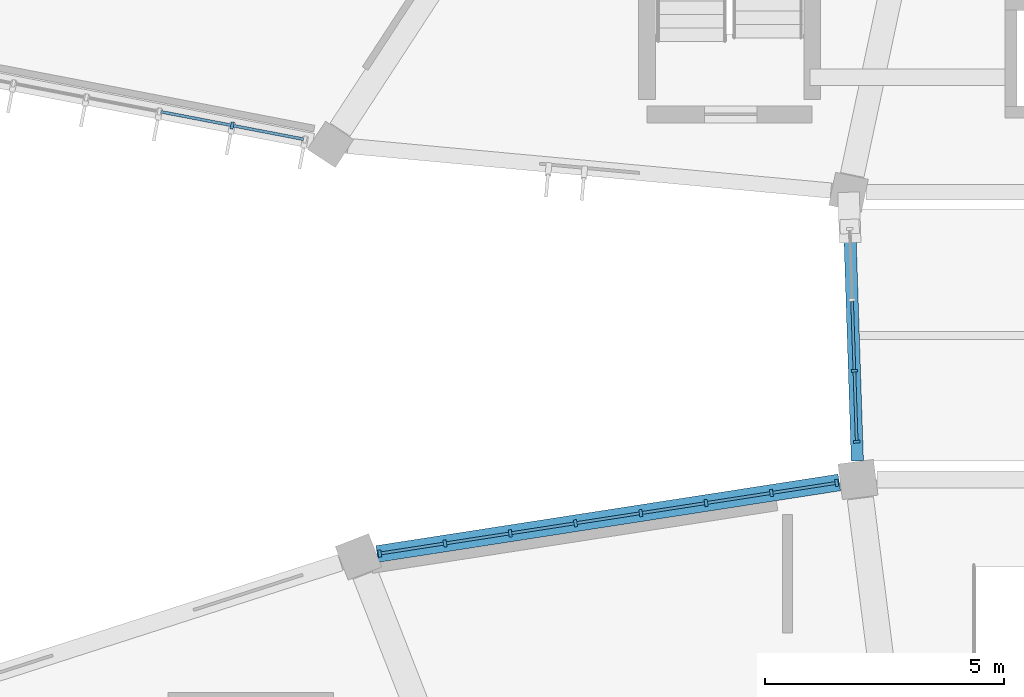
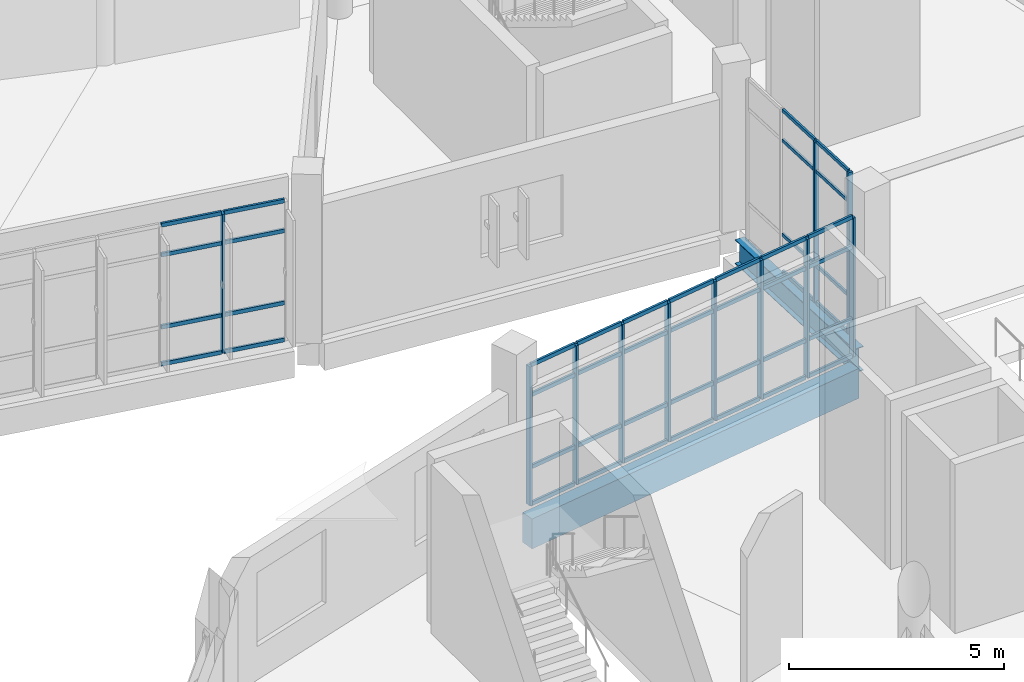
# One storey, part 29 of 179: 55 members, 2 beams, 3 elements without a shape of their own.
"""IFC4 building model written with IfcOpenShell, lengths in metres."""

from ifc_helpers import new_model, si_unit, direction, frame, origin, origin_2d, place, context, subcontext, project, spatial, rectangle, i_section, extrude, material, layer, layer_set, material_profile, profile_set, type_object, element, aggregate, save


model = new_model("IFC4")

# Units and contexts
model_context = context("Model", 3, precision=1e-05, world=origin(), true_north=direction((0.0, 1.0)))
body_context = subcontext(model_context, "Body", "Model", "MODEL_VIEW")
ifc_project = project(units=[si_unit("LENGTHUNIT", "METRE"), si_unit("AREAUNIT", "SQUARE_METRE"), si_unit("VOLUMEUNIT", "CUBIC_METRE"), si_unit("PLANEANGLEUNIT", "RADIAN"), si_unit("MASSUNIT", "GRAM", prefix="KILO")], contexts=[model_context])

# Site, building, storey
site_placement = place(None, origin())
site = spatial("IfcSite", under=ifc_project, at=site_placement, CompositionType="ELEMENT")
building_placement = place(site_placement, origin())
building = spatial("IfcBuilding", under=site, at=building_placement, Name="Corvandel Quay Wholesale Market", CompositionType="ELEMENT")
storey_placement = place(building_placement, frame((0.0, 0.0, 6.0)))
storey = spatial("IfcBuildingStorey", under=building, at=storey_placement, Name="L01", CompositionType="ELEMENT", Elevation=6.0)

# Beam
ifc_material_1 = material(Name="Steel A992 Grade 50", Category="steel")
ifc_material_profile_1 = material_profile(ifc_material_1, i_section(OverallWidth=0.25390625, OverallDepth=0.68310546875, WebThickness=0.012451171875, FlangeThickness=0.018798828125, at=origin_2d()), Name="W27X94")
ifc_profile_set_1 = profile_set([ifc_material_profile_1], Name="Steel A992 Grade 50")
beam_type_1 = type_object("IfcBeamType", Name="Bridge Link Steel Girder SG01 W27X94", PredefinedType="USERDEFINED", material=ifc_profile_set_1)
beam_1_placement = place(storey_placement, frame((108.668212890625, 84.389892578125, -0.5615234375), z_axis=(-0.032795939413, 0.999462068494, 0.0), x_axis=(-0.999462068494, -0.032795939413, 0.0)))
element("IfcBeam", 1, at=beam_1_placement, inside=storey, type_object=beam_type_1, Name="Beam BM-1762", ObjectType="GIRDER", PredefinedType="USERDEFINED", context=body_context, shape_type="SweptSolid", body=[
    extrude(i_section(OverallWidth=0.25390625, OverallDepth=0.68310546875, WebThickness=0.012451171875, FlangeThickness=0.018798828125, at=origin_2d()), origin(), (0.0, 0.0, 1.0), 5.248291015625),
])

# Curtain wall, members
ifc_material_2 = material(Name="Bronze anodised aluminium and low-E insulated glazing", Category="aluminium")
ifc_layer_1 = layer(ifc_material_2, 0.162109375)
ifc_layer_set_1 = layer_set([ifc_layer_1], Name="Bronze anodised aluminium and low-E insulated glazing")
curtain_wall_type_1 = type_object("IfcCurtainWallType", Name="Stick Curtain Wall System CW21 H4890", PredefinedType="NOTDEFINED", material=ifc_layer_set_1)
curtain_wall_1_placement = place(storey_placement, origin())
curtain_wall_1 = element("IfcCurtainWall", 2, at=curtain_wall_1_placement, inside=storey, type_object=curtain_wall_type_1, Name="Curtain Wall CW-0168", PredefinedType="NOTDEFINED")
ifc_material_3 = material(Name="Anodised aluminium 6063-T6", Category="aluminium")
ifc_material_profile_2 = material_profile(ifc_material_3, rectangle(XDim=0.06005859375, YDim=0.1298828125, at=origin_2d()), Name="ALU-MUL-60x130")
ifc_profile_set_2 = profile_set([ifc_material_profile_2], Name="Anodised aluminium 6063-T6")
member_type_1 = type_object("IfcMemberType", Name="Clerestory Mullion ML03 60x130", PredefinedType="MULLION", material=ifc_profile_set_2)
member_1_placement = place(storey_placement, frame((108.655029296875, 84.78955078125, -0.030029296875), z_axis=(0.0, 0.0, 1.0), x_axis=(-0.032806302436, 0.999461728392, 0.0)))
member_1 = element("IfcMember", 3, at=member_1_placement, type_object=member_type_1, Name="Mullion CW-0168-M00", PredefinedType="MULLION", context=body_context, shape_type="SweptSolid", body=[
    extrude(rectangle(XDim=0.06005859375, YDim=0.1298828125, at=origin_2d()), origin(), (0.0, 0.0, 1.0), 4.580078125),
])
member_2_placement = place(storey_placement, frame((108.6064453125, 86.271484375, -0.030029296875), z_axis=(0.0, 0.0, 1.0), x_axis=(-0.032806302436, 0.999461728392, 0.0)))
member_2 = element("IfcMember", 4, at=member_2_placement, type_object=member_type_1, Name="Mullion CW-0168-M01", PredefinedType="MULLION", context=body_context, shape_type="SweptSolid", body=[
    extrude(rectangle(XDim=0.06005859375, YDim=0.1298828125, at=origin_2d()), origin(), (0.0, 0.0, 1.0), 4.580078125),
])
ifc_material_profile_3 = material_profile(ifc_material_3, rectangle(XDim=0.054931640625, YDim=0.094970703125, at=origin_2d()), Name="ALU-TRN-55x95")
ifc_profile_set_3 = profile_set([ifc_material_profile_3], Name="Anodised aluminium 6063-T6")
member_type_2 = type_object("IfcMemberType", Name="Clerestory Transom TR03 55x95", PredefinedType="USERDEFINED", material=ifc_profile_set_3)
member_3_placement = place(storey_placement, frame((108.654052734375, 84.819580078125, -0.030029296875), z_axis=(-0.032777707644, 0.999462666577, 0.0), x_axis=(-0.999462666577, -0.032777707644, 0.0)))
member_3 = element("IfcMember", 5, at=member_3_placement, type_object=member_type_2, Name="Transom CW-0168-T00-0", ObjectType="TRANSOM", PredefinedType="USERDEFINED", context=body_context, shape_type="SweptSolid", body=[
    extrude(rectangle(XDim=0.054931640625, YDim=0.094970703125, at=origin_2d()), origin(), (0.0, 0.0, 1.0), 1.422607421875),
])
member_4_placement = place(storey_placement, frame((108.654052734375, 84.819580078125, 1.02001953125), z_axis=(-0.032777707644, 0.999462666577, 0.0), x_axis=(-0.999462666577, -0.032777707644, 0.0)))
member_4 = element("IfcMember", 6, at=member_4_placement, type_object=member_type_2, Name="Transom CW-0168-T00-1", ObjectType="TRANSOM", PredefinedType="USERDEFINED", context=body_context, shape_type="SweptSolid", body=[
    extrude(rectangle(XDim=0.054931640625, YDim=0.094970703125, at=origin_2d()), origin(), (0.0, 0.0, 1.0), 1.422607421875),
])
member_5_placement = place(storey_placement, frame((108.654052734375, 84.819580078125, 3.699951171875), z_axis=(-0.032777707644, 0.999462666577, 0.0), x_axis=(-0.999462666577, -0.032777707644, 0.0)))
member_5 = element("IfcMember", 7, at=member_5_placement, type_object=member_type_2, Name="Transom CW-0168-T00-2", ObjectType="TRANSOM", PredefinedType="USERDEFINED", context=body_context, shape_type="SweptSolid", body=[
    extrude(rectangle(XDim=0.054931640625, YDim=0.094970703125, at=origin_2d()), origin(), (0.0, 0.0, 1.0), 1.422607421875),
])
member_6_placement = place(storey_placement, frame((108.654052734375, 84.819580078125, 4.550048828125), z_axis=(-0.032777707644, 0.999462666577, 0.0), x_axis=(-0.999462666577, -0.032777707644, 0.0)))
member_6 = element("IfcMember", 8, at=member_6_placement, type_object=member_type_2, Name="Transom CW-0168-T00-3", ObjectType="TRANSOM", PredefinedType="USERDEFINED", context=body_context, shape_type="SweptSolid", body=[
    extrude(rectangle(XDim=0.054931640625, YDim=0.094970703125, at=origin_2d()), origin(), (0.0, 0.0, 1.0), 1.422607421875),
])
member_7_placement = place(storey_placement, frame((108.60546875, 86.301513671875, -0.030029296875), z_axis=(-0.032777707644, 0.999462666577, 0.0), x_axis=(-0.999462666577, -0.032777707644, 0.0)))
member_7 = element("IfcMember", 9, at=member_7_placement, type_object=member_type_2, Name="Transom CW-0168-T01-0", ObjectType="TRANSOM", PredefinedType="USERDEFINED", context=body_context, shape_type="SweptSolid", body=[
    extrude(rectangle(XDim=0.054931640625, YDim=0.094970703125, at=origin_2d()), origin(), (0.0, 0.0, 1.0), 1.422607421875),
])
member_8_placement = place(storey_placement, frame((108.60546875, 86.301513671875, 1.02001953125), z_axis=(-0.032777707644, 0.999462666577, 0.0), x_axis=(-0.999462666577, -0.032777707644, 0.0)))
member_8 = element("IfcMember", 10, at=member_8_placement, type_object=member_type_2, Name="Transom CW-0168-T01-1", ObjectType="TRANSOM", PredefinedType="USERDEFINED", context=body_context, shape_type="SweptSolid", body=[
    extrude(rectangle(XDim=0.054931640625, YDim=0.094970703125, at=origin_2d()), origin(), (0.0, 0.0, 1.0), 1.422607421875),
])
member_9_placement = place(storey_placement, frame((108.60546875, 86.301513671875, 3.699951171875), z_axis=(-0.032777707644, 0.999462666577, 0.0), x_axis=(-0.999462666577, -0.032777707644, 0.0)))
member_9 = element("IfcMember", 11, at=member_9_placement, type_object=member_type_2, Name="Transom CW-0168-T01-2", ObjectType="TRANSOM", PredefinedType="USERDEFINED", context=body_context, shape_type="SweptSolid", body=[
    extrude(rectangle(XDim=0.054931640625, YDim=0.094970703125, at=origin_2d()), origin(), (0.0, 0.0, 1.0), 1.422607421875),
])
member_10_placement = place(storey_placement, frame((108.60546875, 86.301513671875, 4.550048828125), z_axis=(-0.032777707644, 0.999462666577, 0.0), x_axis=(-0.999462666577, -0.032777707644, 0.0)))
member_10 = element("IfcMember", 12, at=member_10_placement, type_object=member_type_2, Name="Transom CW-0168-T01-3", ObjectType="TRANSOM", PredefinedType="USERDEFINED", context=body_context, shape_type="SweptSolid", body=[
    extrude(rectangle(XDim=0.054931640625, YDim=0.094970703125, at=origin_2d()), origin(), (0.0, 0.0, 1.0), 1.422607421875),
])
aggregate(curtain_wall_1, [member_1, member_2, member_3, member_4, member_5, member_6, member_7, member_8, member_9, member_10])

ifc_layer_2 = layer(ifc_material_2, 0.18603515625)
ifc_layer_set_2 = layer_set([ifc_layer_2], Name="Bronze anodised aluminium and low-E insulated glazing")
curtain_wall_type_2 = type_object("IfcCurtainWallType", Name="Stick Curtain Wall System CW13 H4170", PredefinedType="NOTDEFINED", material=ifc_layer_set_2)
curtain_wall_2_placement = place(storey_placement, origin())
curtain_wall_2 = element("IfcCurtainWall", 13, at=curtain_wall_2_placement, inside=storey, type_object=curtain_wall_type_2, Name="Curtain Wall CW-0024", PredefinedType="NOTDEFINED")
ifc_material_profile_4 = material_profile(ifc_material_3, rectangle(XDim=0.06494140625, YDim=0.14990234375, at=origin_2d()), Name="ALU-MUL-65x150")
ifc_profile_set_4 = profile_set([ifc_material_profile_4], Name="Anodised aluminium 6063-T6")
member_type_3 = type_object("IfcMemberType", Name="Curtain Wall Mullion ML02 65x150", PredefinedType="MULLION", material=ifc_profile_set_4)
member_11_placement = place(storey_placement, frame((108.236328125, 83.93115234375, 0.0), z_axis=(0.0, 0.0, 1.0), x_axis=(0.98825506746, 0.152813355565, 0.0)))
member_11 = element("IfcMember", 14, at=member_11_placement, type_object=member_type_3, Name="Mullion CW-0024-M00", PredefinedType="MULLION", context=body_context, shape_type="SweptSolid", body=[
    extrude(rectangle(XDim=0.06494140625, YDim=0.14990234375, at=origin_2d()), origin(), (0.0, 0.0, 1.0), 3.949951171875),
])
member_12_placement = place(storey_placement, frame((106.873046875, 83.72021484375, 0.0), z_axis=(0.0, 0.0, 1.0), x_axis=(0.98825506746, 0.152813355565, 0.0)))
member_12 = element("IfcMember", 15, at=member_12_placement, type_object=member_type_3, Name="Mullion CW-0024-M01", PredefinedType="MULLION", context=body_context, shape_type="SweptSolid", body=[
    extrude(rectangle(XDim=0.06494140625, YDim=0.14990234375, at=origin_2d()), origin(), (0.0, 0.0, 1.0), 3.949951171875),
])
member_13_placement = place(storey_placement, frame((105.509765625, 83.509521484375, 0.0), z_axis=(0.0, 0.0, 1.0), x_axis=(0.98825506746, 0.152813355565, 0.0)))
member_13 = element("IfcMember", 16, at=member_13_placement, type_object=member_type_3, Name="Mullion CW-0024-M02", PredefinedType="MULLION", context=body_context, shape_type="SweptSolid", body=[
    extrude(rectangle(XDim=0.06494140625, YDim=0.14990234375, at=origin_2d()), origin(), (0.0, 0.0, 1.0), 3.949951171875),
])
member_14_placement = place(storey_placement, frame((104.146484375, 83.298583984375, 0.0), z_axis=(0.0, 0.0, 1.0), x_axis=(0.98825506746, 0.152813355565, 0.0)))
member_14 = element("IfcMember", 17, at=member_14_placement, type_object=member_type_3, Name="Mullion CW-0024-M03", PredefinedType="MULLION", context=body_context, shape_type="SweptSolid", body=[
    extrude(rectangle(XDim=0.06494140625, YDim=0.14990234375, at=origin_2d()), origin(), (0.0, 0.0, 1.0), 3.949951171875),
])
member_15_placement = place(storey_placement, frame((102.783447265625, 83.08740234375, 0.0), z_axis=(0.0, 0.0, 1.0), x_axis=(0.98825506746, 0.152813355565, 0.0)))
member_15 = element("IfcMember", 18, at=member_15_placement, type_object=member_type_3, Name="Mullion CW-0024-M04", PredefinedType="MULLION", context=body_context, shape_type="SweptSolid", body=[
    extrude(rectangle(XDim=0.06494140625, YDim=0.14990234375, at=origin_2d()), origin(), (0.0, 0.0, 1.0), 3.949951171875),
])
member_16_placement = place(storey_placement, frame((101.420166015625, 82.876708984375, 0.0), z_axis=(0.0, 0.0, 1.0), x_axis=(0.98825506746, 0.152813355565, 0.0)))
member_16 = element("IfcMember", 19, at=member_16_placement, type_object=member_type_3, Name="Mullion CW-0024-M05", PredefinedType="MULLION", context=body_context, shape_type="SweptSolid", body=[
    extrude(rectangle(XDim=0.06494140625, YDim=0.14990234375, at=origin_2d()), origin(), (0.0, 0.0, 1.0), 3.949951171875),
])
member_17_placement = place(storey_placement, frame((100.056884765625, 82.665771484375, 0.0), z_axis=(0.0, 0.0, 1.0), x_axis=(0.98825506746, 0.152813355565, 0.0)))
member_17 = element("IfcMember", 20, at=member_17_placement, type_object=member_type_3, Name="Mullion CW-0024-M06", PredefinedType="MULLION", context=body_context, shape_type="SweptSolid", body=[
    extrude(rectangle(XDim=0.06494140625, YDim=0.14990234375, at=origin_2d()), origin(), (0.0, 0.0, 1.0), 3.949951171875),
])
member_18_placement = place(storey_placement, frame((98.693603515625, 82.454833984375, 0.0), z_axis=(0.0, 0.0, 1.0), x_axis=(0.98825506746, 0.152813355565, 0.0)))
member_18 = element("IfcMember", 21, at=member_18_placement, type_object=member_type_3, Name="Mullion CW-0024-M07", PredefinedType="MULLION", context=body_context, shape_type="SweptSolid", body=[
    extrude(rectangle(XDim=0.06494140625, YDim=0.14990234375, at=origin_2d()), origin(), (0.0, 0.0, 1.0), 3.949951171875),
])

# Curtain wall, member
ifc_layer_3 = layer(ifc_material_2, 0.18603515625)
ifc_layer_set_3 = layer_set([ifc_layer_3], Name="Bronze anodised aluminium and low-E insulated glazing")
curtain_wall_type_3 = type_object("IfcCurtainWallType", Name="Stick Curtain Wall System CW28 H5520", PredefinedType="NOTDEFINED", material=ifc_layer_set_3)
curtain_wall_3_placement = place(storey_placement, origin())
curtain_wall_3 = element("IfcCurtainWall", 22, at=curtain_wall_3_placement, inside=storey, type_object=curtain_wall_type_3, Name="Curtain Wall CW-0109", PredefinedType="NOTDEFINED")
member_19_placement = place(storey_placement, frame((95.613037109375, 91.393798828125, 0.0), z_axis=(0.0, 0.0, 1.0), x_axis=(-0.981991701121, 0.188924055984, 0.0)))
member_19 = element("IfcMember", 23, at=member_19_placement, type_object=member_type_3, Name="Mullion CW-0109-M05", PredefinedType="MULLION", context=body_context, shape_type="SweptSolid", body=[
    extrude(rectangle(XDim=0.06494140625, YDim=0.14990234375, at=origin_2d()), origin(), (0.0, 0.0, 1.0), 3.949951171875),
])

# Member
ifc_material_profile_5 = material_profile(ifc_material_3, rectangle(XDim=0.06005859375, YDim=0.110107421875, at=origin_2d()), Name="ALU-TRN-60x110")
ifc_profile_set_5 = profile_set([ifc_material_profile_5], Name="Anodised aluminium 6063-T6")
member_type_4 = type_object("IfcMemberType", Name="Curtain Wall Transom TR02 60x110", PredefinedType="USERDEFINED", material=ifc_profile_set_5)
member_20_placement = place(storey_placement, frame((108.2041015625, 83.92626953125, 0.0), z_axis=(-0.988244650986, -0.152880704466, 0.0), x_axis=(0.152880704466, -0.988244650986, 0.0)))
member_20 = element("IfcMember", 24, at=member_20_placement, type_object=member_type_4, Name="Transom CW-0024-T00-0", ObjectType="TRANSOM", PredefinedType="USERDEFINED", context=body_context, shape_type="SweptSolid", body=[
    extrude(rectangle(XDim=0.06005859375, YDim=0.110107421875, at=origin_2d()), origin(), (0.0, 0.0, 1.0), 1.314208984375),
])

member_21_placement = place(storey_placement, frame((108.2041015625, 83.92626953125, 1.050048828125), z_axis=(-0.988244650986, -0.152880704466, 0.0), x_axis=(0.152880704466, -0.988244650986, 0.0)))
member_21 = element("IfcMember", 25, at=member_21_placement, type_object=member_type_4, Name="Transom CW-0024-T00-1", ObjectType="TRANSOM", PredefinedType="USERDEFINED", context=body_context, shape_type="SweptSolid", body=[
    extrude(rectangle(XDim=0.06005859375, YDim=0.110107421875, at=origin_2d()), origin(), (0.0, 0.0, 1.0), 1.314208984375),
])

member_22_placement = place(storey_placement, frame((108.2041015625, 83.92626953125, 3.10009765625), z_axis=(-0.988244650986, -0.152880704466, 0.0), x_axis=(0.152880704466, -0.988244650986, 0.0)))
member_22 = element("IfcMember", 26, at=member_22_placement, type_object=member_type_4, Name="Transom CW-0024-T00-2", ObjectType="TRANSOM", PredefinedType="USERDEFINED", context=body_context, shape_type="SweptSolid", body=[
    extrude(rectangle(XDim=0.06005859375, YDim=0.110107421875, at=origin_2d()), origin(), (0.0, 0.0, 1.0), 1.314208984375),
])

member_23_placement = place(storey_placement, frame((108.2041015625, 83.92626953125, 3.949951171875), z_axis=(-0.988244650986, -0.152880704466, 0.0), x_axis=(0.152880704466, -0.988244650986, 0.0)))
member_23 = element("IfcMember", 27, at=member_23_placement, type_object=member_type_4, Name="Transom CW-0024-T00-3", ObjectType="TRANSOM", PredefinedType="USERDEFINED", context=body_context, shape_type="SweptSolid", body=[
    extrude(rectangle(XDim=0.06005859375, YDim=0.110107421875, at=origin_2d()), origin(), (0.0, 0.0, 1.0), 1.314208984375),
])

member_24_placement = place(storey_placement, frame((106.841064453125, 83.71533203125, 0.0), z_axis=(-0.988248991474, -0.152852644237, 0.0), x_axis=(0.152852644237, -0.988248991474, 0.0)))
member_24 = element("IfcMember", 28, at=member_24_placement, type_object=member_type_4, Name="Transom CW-0024-T01-0", ObjectType="TRANSOM", PredefinedType="USERDEFINED", context=body_context, shape_type="SweptSolid", body=[
    extrude(rectangle(XDim=0.06005859375, YDim=0.110107421875, at=origin_2d()), origin(), (0.0, 0.0, 1.0), 1.314453125),
])

member_25_placement = place(storey_placement, frame((106.841064453125, 83.71533203125, 1.050048828125), z_axis=(-0.988248991474, -0.152852644237, 0.0), x_axis=(0.152852644237, -0.988248991474, 0.0)))
member_25 = element("IfcMember", 29, at=member_25_placement, type_object=member_type_4, Name="Transom CW-0024-T01-1", ObjectType="TRANSOM", PredefinedType="USERDEFINED", context=body_context, shape_type="SweptSolid", body=[
    extrude(rectangle(XDim=0.06005859375, YDim=0.110107421875, at=origin_2d()), origin(), (0.0, 0.0, 1.0), 1.314453125),
])

member_26_placement = place(storey_placement, frame((106.841064453125, 83.71533203125, 3.10009765625), z_axis=(-0.988248991474, -0.152852644237, 0.0), x_axis=(0.152852644237, -0.988248991474, 0.0)))
member_26 = element("IfcMember", 30, at=member_26_placement, type_object=member_type_4, Name="Transom CW-0024-T01-2", ObjectType="TRANSOM", PredefinedType="USERDEFINED", context=body_context, shape_type="SweptSolid", body=[
    extrude(rectangle(XDim=0.06005859375, YDim=0.110107421875, at=origin_2d()), origin(), (0.0, 0.0, 1.0), 1.314453125),
])

member_27_placement = place(storey_placement, frame((106.841064453125, 83.71533203125, 3.949951171875), z_axis=(-0.988248991474, -0.152852644237, 0.0), x_axis=(0.152852644237, -0.988248991474, 0.0)))
member_27 = element("IfcMember", 31, at=member_27_placement, type_object=member_type_4, Name="Transom CW-0024-T01-3", ObjectType="TRANSOM", PredefinedType="USERDEFINED", context=body_context, shape_type="SweptSolid", body=[
    extrude(rectangle(XDim=0.06005859375, YDim=0.110107421875, at=origin_2d()), origin(), (0.0, 0.0, 1.0), 1.314453125),
])

member_28_placement = place(storey_placement, frame((105.477783203125, 83.50439453125, 0.0), z_axis=(-0.988248991474, -0.152852644237, 0.0), x_axis=(0.152852644237, -0.988248991474, 0.0)))
member_28 = element("IfcMember", 32, at=member_28_placement, type_object=member_type_4, Name="Transom CW-0024-T02-0", ObjectType="TRANSOM", PredefinedType="USERDEFINED", context=body_context, shape_type="SweptSolid", body=[
    extrude(rectangle(XDim=0.06005859375, YDim=0.110107421875, at=origin_2d()), origin(), (0.0, 0.0, 1.0), 1.314453125),
])

member_29_placement = place(storey_placement, frame((105.477783203125, 83.50439453125, 1.050048828125), z_axis=(-0.988248991474, -0.152852644237, 0.0), x_axis=(0.152852644237, -0.988248991474, 0.0)))
member_29 = element("IfcMember", 33, at=member_29_placement, type_object=member_type_4, Name="Transom CW-0024-T02-1", ObjectType="TRANSOM", PredefinedType="USERDEFINED", context=body_context, shape_type="SweptSolid", body=[
    extrude(rectangle(XDim=0.06005859375, YDim=0.110107421875, at=origin_2d()), origin(), (0.0, 0.0, 1.0), 1.314453125),
])

member_30_placement = place(storey_placement, frame((105.477783203125, 83.50439453125, 3.10009765625), z_axis=(-0.988248991474, -0.152852644237, 0.0), x_axis=(0.152852644237, -0.988248991474, 0.0)))
member_30 = element("IfcMember", 34, at=member_30_placement, type_object=member_type_4, Name="Transom CW-0024-T02-2", ObjectType="TRANSOM", PredefinedType="USERDEFINED", context=body_context, shape_type="SweptSolid", body=[
    extrude(rectangle(XDim=0.06005859375, YDim=0.110107421875, at=origin_2d()), origin(), (0.0, 0.0, 1.0), 1.314453125),
])

member_31_placement = place(storey_placement, frame((105.477783203125, 83.50439453125, 3.949951171875), z_axis=(-0.988248991474, -0.152852644237, 0.0), x_axis=(0.152852644237, -0.988248991474, 0.0)))
member_31 = element("IfcMember", 35, at=member_31_placement, type_object=member_type_4, Name="Transom CW-0024-T02-3", ObjectType="TRANSOM", PredefinedType="USERDEFINED", context=body_context, shape_type="SweptSolid", body=[
    extrude(rectangle(XDim=0.06005859375, YDim=0.110107421875, at=origin_2d()), origin(), (0.0, 0.0, 1.0), 1.314453125),
])

member_32_placement = place(storey_placement, frame((104.114501953125, 83.29345703125, 0.0), z_axis=(-0.988248991474, -0.152852644237, 0.0), x_axis=(0.152852644237, -0.988248991474, 0.0)))
member_32 = element("IfcMember", 36, at=member_32_placement, type_object=member_type_4, Name="Transom CW-0024-T03-0", ObjectType="TRANSOM", PredefinedType="USERDEFINED", context=body_context, shape_type="SweptSolid", body=[
    extrude(rectangle(XDim=0.06005859375, YDim=0.110107421875, at=origin_2d()), origin(), (0.0, 0.0, 1.0), 1.314453125),
])

member_33_placement = place(storey_placement, frame((104.114501953125, 83.29345703125, 1.050048828125), z_axis=(-0.988248991474, -0.152852644237, 0.0), x_axis=(0.152852644237, -0.988248991474, 0.0)))
member_33 = element("IfcMember", 37, at=member_33_placement, type_object=member_type_4, Name="Transom CW-0024-T03-1", ObjectType="TRANSOM", PredefinedType="USERDEFINED", context=body_context, shape_type="SweptSolid", body=[
    extrude(rectangle(XDim=0.06005859375, YDim=0.110107421875, at=origin_2d()), origin(), (0.0, 0.0, 1.0), 1.314453125),
])

member_34_placement = place(storey_placement, frame((104.114501953125, 83.29345703125, 3.10009765625), z_axis=(-0.988248991474, -0.152852644237, 0.0), x_axis=(0.152852644237, -0.988248991474, 0.0)))
member_34 = element("IfcMember", 38, at=member_34_placement, type_object=member_type_4, Name="Transom CW-0024-T03-2", ObjectType="TRANSOM", PredefinedType="USERDEFINED", context=body_context, shape_type="SweptSolid", body=[
    extrude(rectangle(XDim=0.06005859375, YDim=0.110107421875, at=origin_2d()), origin(), (0.0, 0.0, 1.0), 1.314453125),
])

member_35_placement = place(storey_placement, frame((104.114501953125, 83.29345703125, 3.949951171875), z_axis=(-0.988248991474, -0.152852644237, 0.0), x_axis=(0.152852644237, -0.988248991474, 0.0)))
member_35 = element("IfcMember", 39, at=member_35_placement, type_object=member_type_4, Name="Transom CW-0024-T03-3", ObjectType="TRANSOM", PredefinedType="USERDEFINED", context=body_context, shape_type="SweptSolid", body=[
    extrude(rectangle(XDim=0.06005859375, YDim=0.110107421875, at=origin_2d()), origin(), (0.0, 0.0, 1.0), 1.314453125),
])

member_36_placement = place(storey_placement, frame((102.751220703125, 83.08251953125, 0.0), z_axis=(-0.988244650986, -0.152880704466, 0.0), x_axis=(0.152880704466, -0.988244650986, 0.0)))
member_36 = element("IfcMember", 40, at=member_36_placement, type_object=member_type_4, Name="Transom CW-0024-T04-0", ObjectType="TRANSOM", PredefinedType="USERDEFINED", context=body_context, shape_type="SweptSolid", body=[
    extrude(rectangle(XDim=0.06005859375, YDim=0.110107421875, at=origin_2d()), origin(), (0.0, 0.0, 1.0), 1.314208984375),
])

member_37_placement = place(storey_placement, frame((102.751220703125, 83.08251953125, 1.050048828125), z_axis=(-0.988244650986, -0.152880704466, 0.0), x_axis=(0.152880704466, -0.988244650986, 0.0)))
member_37 = element("IfcMember", 41, at=member_37_placement, type_object=member_type_4, Name="Transom CW-0024-T04-1", ObjectType="TRANSOM", PredefinedType="USERDEFINED", context=body_context, shape_type="SweptSolid", body=[
    extrude(rectangle(XDim=0.06005859375, YDim=0.110107421875, at=origin_2d()), origin(), (0.0, 0.0, 1.0), 1.314208984375),
])

member_38_placement = place(storey_placement, frame((102.751220703125, 83.08251953125, 3.10009765625), z_axis=(-0.988244650986, -0.152880704466, 0.0), x_axis=(0.152880704466, -0.988244650986, 0.0)))
member_38 = element("IfcMember", 42, at=member_38_placement, type_object=member_type_4, Name="Transom CW-0024-T04-2", ObjectType="TRANSOM", PredefinedType="USERDEFINED", context=body_context, shape_type="SweptSolid", body=[
    extrude(rectangle(XDim=0.06005859375, YDim=0.110107421875, at=origin_2d()), origin(), (0.0, 0.0, 1.0), 1.314208984375),
])

member_39_placement = place(storey_placement, frame((102.751220703125, 83.08251953125, 3.949951171875), z_axis=(-0.988244650986, -0.152880704466, 0.0), x_axis=(0.152880704466, -0.988244650986, 0.0)))
member_39 = element("IfcMember", 43, at=member_39_placement, type_object=member_type_4, Name="Transom CW-0024-T04-3", ObjectType="TRANSOM", PredefinedType="USERDEFINED", context=body_context, shape_type="SweptSolid", body=[
    extrude(rectangle(XDim=0.06005859375, YDim=0.110107421875, at=origin_2d()), origin(), (0.0, 0.0, 1.0), 1.314208984375),
])

member_40_placement = place(storey_placement, frame((101.387939453125, 82.87158203125, 0.0), z_axis=(-0.988244650986, -0.152880704466, 0.0), x_axis=(0.152880704466, -0.988244650986, 0.0)))
member_40 = element("IfcMember", 44, at=member_40_placement, type_object=member_type_4, Name="Transom CW-0024-T05-0", ObjectType="TRANSOM", PredefinedType="USERDEFINED", context=body_context, shape_type="SweptSolid", body=[
    extrude(rectangle(XDim=0.06005859375, YDim=0.110107421875, at=origin_2d()), origin(), (0.0, 0.0, 1.0), 1.314208984375),
])

member_41_placement = place(storey_placement, frame((101.387939453125, 82.87158203125, 1.050048828125), z_axis=(-0.988244650986, -0.152880704466, 0.0), x_axis=(0.152880704466, -0.988244650986, 0.0)))
member_41 = element("IfcMember", 45, at=member_41_placement, type_object=member_type_4, Name="Transom CW-0024-T05-1", ObjectType="TRANSOM", PredefinedType="USERDEFINED", context=body_context, shape_type="SweptSolid", body=[
    extrude(rectangle(XDim=0.06005859375, YDim=0.110107421875, at=origin_2d()), origin(), (0.0, 0.0, 1.0), 1.314208984375),
])

member_42_placement = place(storey_placement, frame((101.387939453125, 82.87158203125, 3.10009765625), z_axis=(-0.988244650986, -0.152880704466, 0.0), x_axis=(0.152880704466, -0.988244650986, 0.0)))
member_42 = element("IfcMember", 46, at=member_42_placement, type_object=member_type_4, Name="Transom CW-0024-T05-2", ObjectType="TRANSOM", PredefinedType="USERDEFINED", context=body_context, shape_type="SweptSolid", body=[
    extrude(rectangle(XDim=0.06005859375, YDim=0.110107421875, at=origin_2d()), origin(), (0.0, 0.0, 1.0), 1.314208984375),
])

member_43_placement = place(storey_placement, frame((101.387939453125, 82.87158203125, 3.949951171875), z_axis=(-0.988244650986, -0.152880704466, 0.0), x_axis=(0.152880704466, -0.988244650986, 0.0)))
member_43 = element("IfcMember", 47, at=member_43_placement, type_object=member_type_4, Name="Transom CW-0024-T05-3", ObjectType="TRANSOM", PredefinedType="USERDEFINED", context=body_context, shape_type="SweptSolid", body=[
    extrude(rectangle(XDim=0.06005859375, YDim=0.110107421875, at=origin_2d()), origin(), (0.0, 0.0, 1.0), 1.314208984375),
])

member_44_placement = place(storey_placement, frame((100.02490234375, 82.66064453125, 0.0), z_axis=(-0.988248991474, -0.152852644237, 0.0), x_axis=(0.152852644237, -0.988248991474, 0.0)))
member_44 = element("IfcMember", 48, at=member_44_placement, type_object=member_type_4, Name="Transom CW-0024-T06-0", ObjectType="TRANSOM", PredefinedType="USERDEFINED", context=body_context, shape_type="SweptSolid", body=[
    extrude(rectangle(XDim=0.06005859375, YDim=0.110107421875, at=origin_2d()), origin(), (0.0, 0.0, 1.0), 1.314453125),
])

member_45_placement = place(storey_placement, frame((100.02490234375, 82.66064453125, 1.050048828125), z_axis=(-0.988248991474, -0.152852644237, 0.0), x_axis=(0.152852644237, -0.988248991474, 0.0)))
member_45 = element("IfcMember", 49, at=member_45_placement, type_object=member_type_4, Name="Transom CW-0024-T06-1", ObjectType="TRANSOM", PredefinedType="USERDEFINED", context=body_context, shape_type="SweptSolid", body=[
    extrude(rectangle(XDim=0.06005859375, YDim=0.110107421875, at=origin_2d()), origin(), (0.0, 0.0, 1.0), 1.314453125),
])

member_46_placement = place(storey_placement, frame((100.02490234375, 82.66064453125, 3.10009765625), z_axis=(-0.988248991474, -0.152852644237, 0.0), x_axis=(0.152852644237, -0.988248991474, 0.0)))
member_46 = element("IfcMember", 50, at=member_46_placement, type_object=member_type_4, Name="Transom CW-0024-T06-2", ObjectType="TRANSOM", PredefinedType="USERDEFINED", context=body_context, shape_type="SweptSolid", body=[
    extrude(rectangle(XDim=0.06005859375, YDim=0.110107421875, at=origin_2d()), origin(), (0.0, 0.0, 1.0), 1.314453125),
])

member_47_placement = place(storey_placement, frame((100.02490234375, 82.66064453125, 3.949951171875), z_axis=(-0.988248991474, -0.152852644237, 0.0), x_axis=(0.152852644237, -0.988248991474, 0.0)))
member_47 = element("IfcMember", 51, at=member_47_placement, type_object=member_type_4, Name="Transom CW-0024-T06-3", ObjectType="TRANSOM", PredefinedType="USERDEFINED", context=body_context, shape_type="SweptSolid", body=[
    extrude(rectangle(XDim=0.06005859375, YDim=0.110107421875, at=origin_2d()), origin(), (0.0, 0.0, 1.0), 1.314453125),
])

aggregate(curtain_wall_2, [member_11, member_12, member_13, member_14, member_15, member_16, member_17, member_18, member_20, member_21, member_22, member_23, member_24, member_25, member_26, member_27, member_28, member_29, member_30, member_31, member_32, member_33, member_34, member_35, member_36, member_37, member_38, member_39, member_40, member_41, member_42, member_43, member_44, member_45, member_46, member_47])

member_48_placement = place(storey_placement, frame((94.123046875, 91.68017578125, 0.0), z_axis=(0.982020518786, -0.188774205554, 0.0), x_axis=(0.188774205554, 0.982020518786, 0.0)))
member_48 = element("IfcMember", 52, at=member_48_placement, type_object=member_type_4, Name="Transom CW-0109-T04-0", ObjectType="TRANSOM", PredefinedType="USERDEFINED", context=body_context, shape_type="SweptSolid", body=[
    extrude(rectangle(XDim=0.06005859375, YDim=0.110107421875, at=origin_2d()), origin(), (0.0, 0.0, 1.0), 1.484619140625),
])

member_49_placement = place(storey_placement, frame((94.123046875, 91.68017578125, 1.050048828125), z_axis=(0.982020518786, -0.188774205554, 0.0), x_axis=(0.188774205554, 0.982020518786, 0.0)))
member_49 = element("IfcMember", 53, at=member_49_placement, type_object=member_type_4, Name="Transom CW-0109-T04-1", ObjectType="TRANSOM", PredefinedType="USERDEFINED", context=body_context, shape_type="SweptSolid", body=[
    extrude(rectangle(XDim=0.06005859375, YDim=0.110107421875, at=origin_2d()), origin(), (0.0, 0.0, 1.0), 1.484619140625),
])

member_50_placement = place(storey_placement, frame((94.123046875, 91.68017578125, 3.10009765625), z_axis=(0.982020518786, -0.188774205554, 0.0), x_axis=(0.188774205554, 0.982020518786, 0.0)))
member_50 = element("IfcMember", 54, at=member_50_placement, type_object=member_type_4, Name="Transom CW-0109-T04-2", ObjectType="TRANSOM", PredefinedType="USERDEFINED", context=body_context, shape_type="SweptSolid", body=[
    extrude(rectangle(XDim=0.06005859375, YDim=0.110107421875, at=origin_2d()), origin(), (0.0, 0.0, 1.0), 1.484619140625),
])

member_51_placement = place(storey_placement, frame((94.123046875, 91.68017578125, 3.949951171875), z_axis=(0.982020518786, -0.188774205554, 0.0), x_axis=(0.188774205554, 0.982020518786, 0.0)))
member_51 = element("IfcMember", 55, at=member_51_placement, type_object=member_type_4, Name="Transom CW-0109-T04-3", ObjectType="TRANSOM", PredefinedType="USERDEFINED", context=body_context, shape_type="SweptSolid", body=[
    extrude(rectangle(XDim=0.06005859375, YDim=0.110107421875, at=origin_2d()), origin(), (0.0, 0.0, 1.0), 1.484619140625),
])

member_52_placement = place(storey_placement, frame((95.64501953125, 91.387451171875, 0.0), z_axis=(0.982014657523, -0.188804693826, 0.0), x_axis=(0.188804693826, 0.982014657523, 0.0)))
member_52 = element("IfcMember", 56, at=member_52_placement, type_object=member_type_4, Name="Transom CW-0109-T05-0", ObjectType="TRANSOM", PredefinedType="USERDEFINED", context=body_context, shape_type="SweptSolid", body=[
    extrude(rectangle(XDim=0.06005859375, YDim=0.110107421875, at=origin_2d()), origin(), (0.0, 0.0, 1.0), 1.484375),
])

member_53_placement = place(storey_placement, frame((95.64501953125, 91.387451171875, 1.050048828125), z_axis=(0.982014657523, -0.188804693826, 0.0), x_axis=(0.188804693826, 0.982014657523, 0.0)))
member_53 = element("IfcMember", 57, at=member_53_placement, type_object=member_type_4, Name="Transom CW-0109-T05-1", ObjectType="TRANSOM", PredefinedType="USERDEFINED", context=body_context, shape_type="SweptSolid", body=[
    extrude(rectangle(XDim=0.06005859375, YDim=0.110107421875, at=origin_2d()), origin(), (0.0, 0.0, 1.0), 1.484375),
])

member_54_placement = place(storey_placement, frame((95.64501953125, 91.387451171875, 3.10009765625), z_axis=(0.982014657523, -0.188804693826, 0.0), x_axis=(0.188804693826, 0.982014657523, 0.0)))
member_54 = element("IfcMember", 58, at=member_54_placement, type_object=member_type_4, Name="Transom CW-0109-T05-2", ObjectType="TRANSOM", PredefinedType="USERDEFINED", context=body_context, shape_type="SweptSolid", body=[
    extrude(rectangle(XDim=0.06005859375, YDim=0.110107421875, at=origin_2d()), origin(), (0.0, 0.0, 1.0), 1.484375),
])

member_55_placement = place(storey_placement, frame((95.64501953125, 91.387451171875, 3.949951171875), z_axis=(0.982014657523, -0.188804693826, 0.0), x_axis=(0.188804693826, 0.982014657523, 0.0)))
member_55 = element("IfcMember", 59, at=member_55_placement, type_object=member_type_4, Name="Transom CW-0109-T05-3", ObjectType="TRANSOM", PredefinedType="USERDEFINED", context=body_context, shape_type="SweptSolid", body=[
    extrude(rectangle(XDim=0.06005859375, YDim=0.110107421875, at=origin_2d()), origin(), (0.0, 0.0, 1.0), 1.484375),
])

aggregate(curtain_wall_3, [member_19, member_48, member_49, member_50, member_51, member_52, member_53, member_54, member_55])

# Beam
ifc_material_4 = material(Name="Precast concrete C45/55", Category="concrete")
ifc_material_profile_6 = material_profile(ifc_material_4, rectangle(XDim=0.35009765625, YDim=0.85009765625, at=origin_2d()), Name="PC-SPN-350x850")
ifc_profile_set_6 = profile_set([ifc_material_profile_6], Name="Precast concrete C45/55")
beam_type_2 = type_object("IfcBeamType", Name="Perimeter Precast Spandrel SP01 350x850", PredefinedType="SPANDREL", material=ifc_profile_set_6)
beam_2_placement = place(storey_placement, frame((108.29052734375, 83.939697265625, -0.72509765625), z_axis=(-0.988238667456, -0.152919377927, 0.0), x_axis=(0.152919377927, -0.988238667456, 0.0)))
element("IfcBeam", 60, at=beam_2_placement, inside=storey, type_object=beam_type_2, Name="Beam BM-0103", PredefinedType="SPANDREL", context=body_context, shape_type="SweptSolid", body=[
    extrude(rectangle(XDim=0.35009765625, YDim=0.85009765625, at=origin_2d()), origin(), (0.0, 0.0, 1.0), 9.765869140625),
])

save(model, "model.ifc")
